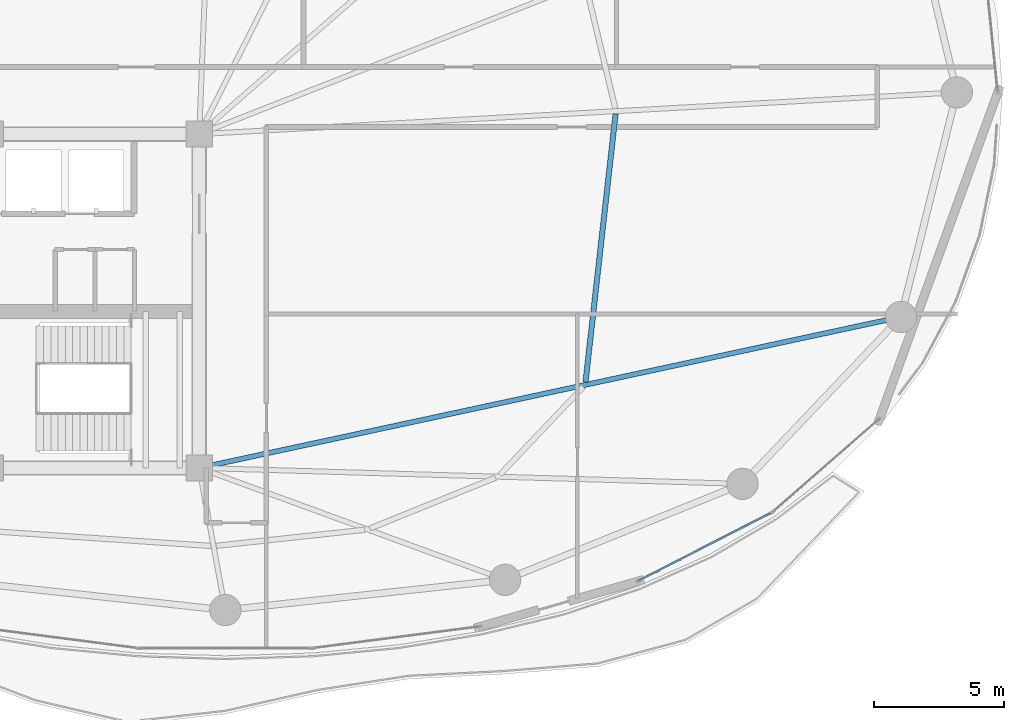
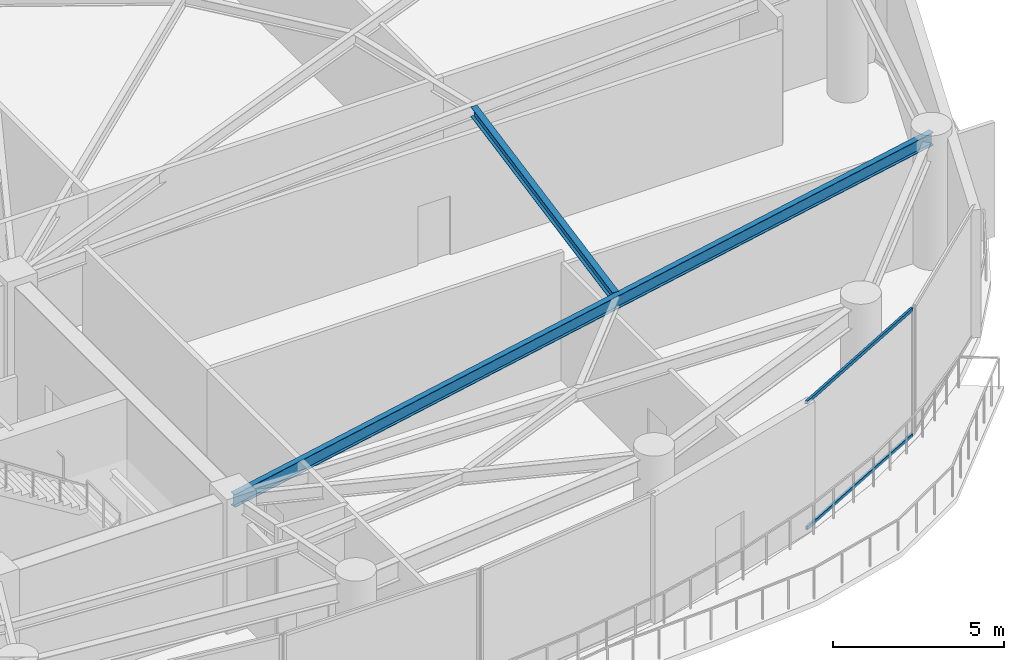
# One storey, part 12 of 30: 2 beams, 2 members, 1 element without a shape of its own.
"""IFC4 building model written with IfcOpenShell, lengths in metres."""

from ifc_helpers import new_model, si_unit, direction, frame, origin, origin_2d, place, context, subcontext, project, spatial, hollow_rectangle, i_section, extrude, material, layer, layer_set, material_profile, profile_set, type_object, element, aggregate, save


model = new_model("IFC4")

# Units and contexts
model_context = context("Model", 3, precision=1e-05, world=origin(), true_north=direction((0.0, 1.0)))
body_context = subcontext(model_context, "Body", "Model", "MODEL_VIEW")
ifc_project = project(units=[si_unit("LENGTHUNIT", "METRE"), si_unit("AREAUNIT", "SQUARE_METRE"), si_unit("VOLUMEUNIT", "CUBIC_METRE"), si_unit("PLANEANGLEUNIT", "RADIAN"), si_unit("MASSUNIT", "GRAM", prefix="KILO")], contexts=[model_context])

# Site, building, storey
site_placement = place(None, origin())
site = spatial("IfcSite", under=ifc_project, at=site_placement, CompositionType="ELEMENT")
building_placement = place(site_placement, origin())
building = spatial("IfcBuilding", under=site, at=building_placement, Name="Kazevale Care Tower and Concert Hall", CompositionType="ELEMENT")
storey_placement = place(building_placement, frame((0.0, 0.0, 97.800048828125)))
storey = spatial("IfcBuildingStorey", under=building, at=storey_placement, Name="L25", CompositionType="ELEMENT", Elevation=97.800048828125)

# Curtain wall, members
ifc_material_1 = material(Name="Aluminium 6063-T6 and Low-E Glass", Category="aluminium")
ifc_layer = layer(ifc_material_1, 0.179931640625)
ifc_layer_set = layer_set([ifc_layer], Name="Aluminium 6063-T6 and Low-E Glass")
curtain_wall_type = type_object("IfcCurtainWallType", Name="Sheltered Concave Balcony Curtain Wall CW-5", PredefinedType="NOTDEFINED", material=ifc_layer_set)
curtain_wall_placement = place(storey_placement, origin())
curtain_wall = element("IfcCurtainWall", 1, at=curtain_wall_placement, inside=storey, type_object=curtain_wall_type, Name="cw:L25:f03", PredefinedType="NOTDEFINED")
ifc_material_2 = material(Name="Aluminium 6063-T6", Category="aluminium")
ifc_material_profile_1 = material_profile(ifc_material_2, hollow_rectangle(XDim=0.074951171875, YDim=0.1201171875, WallThickness=0.00390625, at=origin_2d()), Name="ALU75x120x4")
ifc_profile_set_1 = profile_set([ifc_material_profile_1], Name="Aluminium 6063-T6")
member_type = type_object("IfcMemberType", Name="CW-5 Transom ALU75x120x4", PredefinedType="USERDEFINED", material=ifc_profile_set_1)
member_1_placement = place(storey_placement, frame((65.904296875, 21.86376953125, 0.037353515625), z_axis=(-0.890142600475, -0.455682072084, 0.0), x_axis=(0.455682072084, -0.890142600475, 0.0)))
member_1 = element("IfcMember", 2, at=member_1_placement, type_object=member_type, Name="CW-5 transom 1.1", ObjectType="TRANSOM", PredefinedType="USERDEFINED", context=body_context, shape_type="SweptSolid", body=[
    extrude(hollow_rectangle(XDim=0.074951171875, YDim=0.1201171875, WallThickness=0.00390625, at=origin_2d()), origin(), (0.0, 0.0, 1.0), 5.671630859375),
])
member_2_placement = place(storey_placement, frame((65.904296875, 21.86376953125, 4.5224609375), z_axis=(-0.890142600475, -0.455682072084, 0.0), x_axis=(0.455682072084, -0.890142600475, 0.0)))
member_2 = element("IfcMember", 3, at=member_2_placement, type_object=member_type, Name="CW-5 transom 1.2", ObjectType="TRANSOM", PredefinedType="USERDEFINED", context=body_context, shape_type="SweptSolid", body=[
    extrude(hollow_rectangle(XDim=0.074951171875, YDim=0.1201171875, WallThickness=0.00390625, at=origin_2d()), origin(), (0.0, 0.0, 1.0), 5.671630859375),
])
aggregate(curtain_wall, [member_1, member_2])

# Beams
ifc_material_3 = material(Name="Steel ASTM A572 Gr 50", Category="steel")
ifc_material_profile_2 = material_profile(ifc_material_3, i_section(OverallWidth=0.19091796875, OverallDepth=0.4599609375, WebThickness=0.010009765625, FlangeThickness=0.01611328125, at=origin_2d()), Name="W460x82")
ifc_profile_set_2 = profile_set([ifc_material_profile_2], Name="Steel ASTM A572 Gr 50")
beam_type_1 = type_object("IfcBeamType", Name="Radial Floor Beam W460x82", PredefinedType="BEAM", material=ifc_profile_set_2)
beam_1_placement = place(storey_placement, frame((44.0, 23.60009765625, 4.329833984375), z_axis=(0.97762801725, 0.210341293823, 0.0), x_axis=(-0.210341293823, 0.97762801725, 0.0)))
element("IfcBeam", 4, at=beam_1_placement, inside=storey, type_object=beam_type_1, Name="beam:L25:rad:16", PredefinedType="BEAM", context=body_context, shape_type="SweptSolid", body=[
    extrude(i_section(OverallWidth=0.19091796875, OverallDepth=0.4599609375, WebThickness=0.010009765625, FlangeThickness=0.01611328125, at=origin_2d()), origin(), (0.0, 0.0, 1.0), 27.525634765625),
])
ifc_material_profile_3 = material_profile(ifc_material_3, i_section(OverallWidth=0.205078125, OverallDepth=0.35400390625, WebThickness=0.009521484375, FlangeThickness=0.016845703125, at=origin_2d()), Name="W360x79")
ifc_profile_set_3 = profile_set([ifc_material_profile_3], Name="Steel ASTM A572 Gr 50")
beam_type_2 = type_object("IfcBeamType", Name="Secondary Floor Joist W360x79", PredefinedType="JOIST", material=ifc_profile_set_3)
beam_2_placement = place(storey_placement, frame((58.81201171875, 26.888916015625, 4.383056640625), z_axis=(0.111485011105, 0.993766115491, 0.0), x_axis=(-0.993766115491, 0.111485011105, 0.0)))
element("IfcBeam", 5, at=beam_2_placement, inside=storey, type_object=beam_type_2, Name="beam:L25:joist:16", PredefinedType="JOIST", context=body_context, shape_type="SweptSolid", body=[
    extrude(i_section(OverallWidth=0.205078125, OverallDepth=0.35400390625, WebThickness=0.009521484375, FlangeThickness=0.016845703125, at=origin_2d()), origin(), (0.0, 0.0, 1.0), 10.3515625),
])

save(model, "model.ifc")
